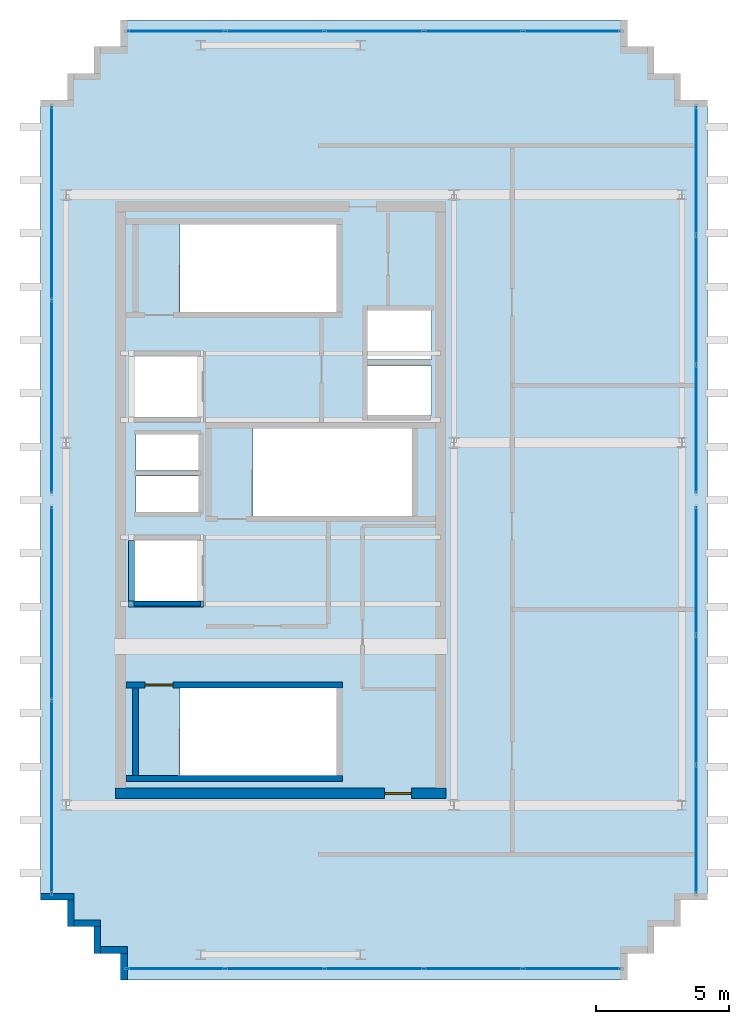
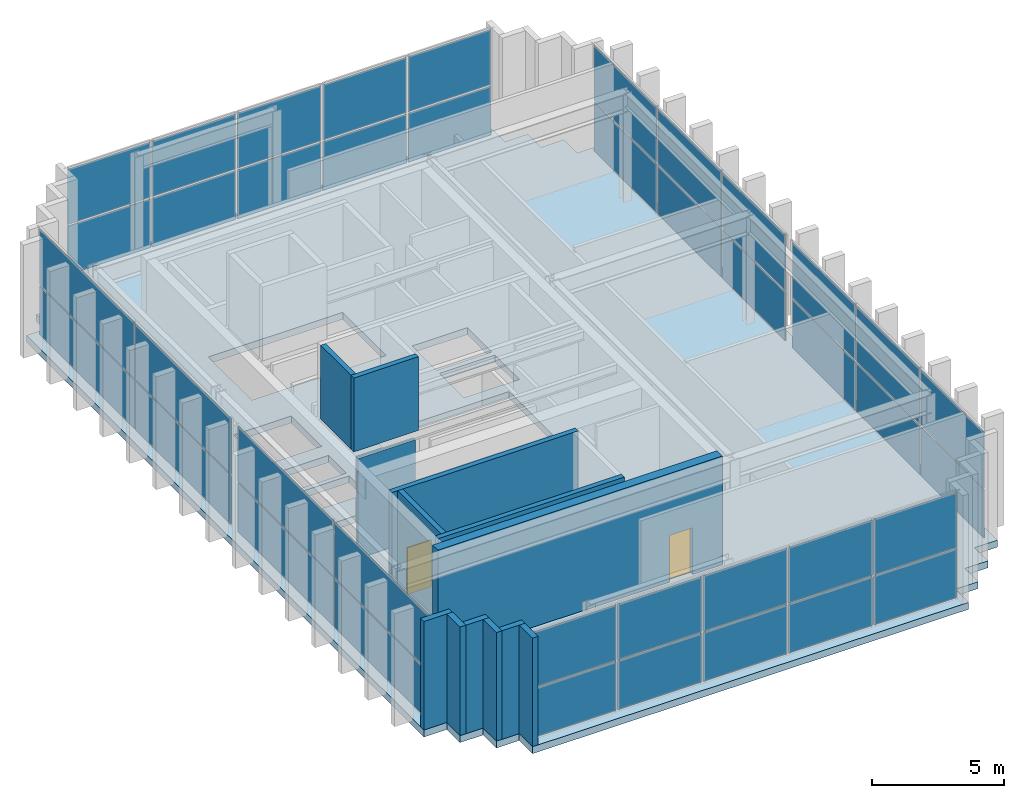
# One storey, part 11 of 14: 40 plates, 13 walls, 2 doors, 1 slab, 2 openings, 6 elements without a shape of their own.
"""IFC4 building model written with IfcOpenShell, lengths in metres."""

from ifc_helpers import new_model, si_unit, direction, frame, frame_2d, origin, origin_2d, place, context, subcontext, project, spatial, polyline, rectangle, outline, extrude, source, transform, mapped, material, layer, layer_set, type_object, element, fill, aggregate, save


model = new_model("IFC4")

# Units and contexts
model_context = context("Model", 3, precision=1e-05, world=origin(), true_north=direction((0.0, 1.0)))
body_context = subcontext(model_context, "Body", "Model", "MODEL_VIEW")
ifc_project = project(units=[si_unit("LENGTHUNIT", "METRE"), si_unit("AREAUNIT", "SQUARE_METRE"), si_unit("VOLUMEUNIT", "CUBIC_METRE"), si_unit("PLANEANGLEUNIT", "RADIAN"), si_unit("MASSUNIT", "GRAM", prefix="KILO")], contexts=[model_context])

# Site, building, storey
site_placement = place(None, origin())
site = spatial("IfcSite", under=ifc_project, at=site_placement, CompositionType="ELEMENT")
building_placement = place(site_placement, origin())
building = spatial("IfcBuilding", under=site, at=building_placement, Name="Ocotamira Hotel", CompositionType="ELEMENT")
storey_placement = place(building_placement, frame((0.0, 0.0, 309.60009765625)))
storey = spatial("IfcBuildingStorey", under=building, at=storey_placement, Name="L79", CompositionType="ELEMENT", Elevation=309.60009765625)

# Slab
ifc_material_1 = material(Name="Concrete C40/50", Category="concrete")
ifc_layer_1 = layer(ifc_material_1, 0.320068359375)
ifc_layer_set_1 = layer_set([ifc_layer_1], Name="Concrete C40/50")
slab_type = type_object("IfcSlabType", Name="SLB-HVY-320", PredefinedType="FLOOR", material=ifc_layer_set_1)
slab_placement = place(storey_placement, frame((0.0, 0.0, -0.320068359375)))
element("IfcSlab", 1, at=slab_placement, inside=storey, type_object=slab_type, Name="L79 Structural Floor Slab", PredefinedType="FLOOR", context=body_context, shape_type="SweptSolid", body=[
    extrude(outline(polyline([(11.0, 8.0), (30.0, 8.0), (30.0, 9.0), (31.0, 9.0), (31.0, 10.0), (32.0, 10.0), (32.0, 11.0), (33.0, 11.0), (33.0, 41.0), (32.0, 41.0), (32.0, 42.0), (31.0, 42.0), (31.0, 43.0), (30.0, 43.0), (30.0, 44.0), (11.0, 44.0), (11.0, 43.0), (10.0, 43.0), (10.0, 42.0), (9.0, 42.0), (9.0, 41.0), (8.0, 41.0), (8.0, 11.0), (9.0, 11.0), (9.0, 10.0), (10.0, 10.0), (10.0, 9.0), (11.0, 9.0), (11.0, 8.0)]), holes=[polyline([(13.22998046875, 15.669921875), (19.090087890625, 15.669921875), (19.090087890625, 18.949951171875), (13.22998046875, 18.949951171875), (13.22998046875, 15.669921875)]), polyline([(13.22998046875, 33.050048828125), (19.090087890625, 33.050048828125), (19.090087890625, 36.330078125), (13.22998046875, 36.330078125), (13.22998046875, 33.050048828125)]), polyline([(15.9599609375, 25.39990234375), (21.919921875, 25.39990234375), (21.919921875, 28.679931640625), (15.9599609375, 28.679931640625), (15.9599609375, 25.39990234375)]), polyline([(20.25, 29.179931640625), (22.659912109375, 29.179931640625), (22.659912109375, 31.030029296875), (20.25, 31.030029296875), (20.25, 29.179931640625)]), polyline([(20.25, 31.260009765625), (22.659912109375, 31.260009765625), (22.659912109375, 33.110107421875), (20.25, 33.110107421875), (20.25, 31.260009765625)]), polyline([(11.5, 22.199951171875), (14.0, 22.199951171875), (14.0, 24.5), (11.5, 24.5), (11.5, 22.199951171875)]), polyline([(11.5, 29.10009765625), (14.0, 29.10009765625), (14.0, 31.39990234375), (11.5, 31.39990234375), (11.5, 29.10009765625)]), polyline([(11.580078125, 25.550048828125), (13.919921875, 25.550048828125), (13.919921875, 26.89990234375), (11.580078125, 26.89990234375), (11.580078125, 25.550048828125)]), polyline([(11.580078125, 27.10009765625), (13.919921875, 27.10009765625), (13.919921875, 28.449951171875), (11.580078125, 28.449951171875), (11.580078125, 27.10009765625)])]), origin(), (0.0, 0.0, 1.0), 0.320068359375),
])

# Curtain wall, plates
ifc_material_2 = material(Name="Anodised pale-metal aluminium and solar glass", Category="aluminium")
ifc_layer_2 = layer(ifc_material_2, 0.2099609375)
ifc_layer_set_2 = layer_set([ifc_layer_2], Name="Anodised pale-metal aluminium and solar glass")
curtain_wall_type = type_object("IfcCurtainWallType", Name="CW-SYS7-PEAK", PredefinedType="NOTDEFINED", material=ifc_layer_set_2)
curtain_wall_1_placement = place(storey_placement, origin())
curtain_wall_1 = element("IfcCurtainWall", 2, at=curtain_wall_1_placement, inside=storey, type_object=curtain_wall_type, Name="L79 Curtain Wall CW-7 CW-L79-W1", PredefinedType="NOTDEFINED")
ifc_material_3 = material(Name="Double-silver low-E insulated solar glass", Category="glass")
ifc_layer_3 = layer(ifc_material_3, 0.031982421875)
ifc_layer_set_3 = layer_set([ifc_layer_3], Name="Double-silver low-E insulated solar glass")
plate_type = type_object("IfcPlateType", Name="CWP-VISION-32", PredefinedType="CURTAIN_PANEL", material=ifc_layer_set_3)
shared_shape_1 = source(origin(), body_context, "Body", "SweptSolid", [
    extrude(rectangle(XDim=7.179931640625, YDim=0.031982421875, at=origin_2d()), origin(), (0.0, 0.0, 1.0), 2.237548828125),
])
plate_1_placement = place(storey_placement, frame((8.419921875, 14.8701171875, 0.07470703125), z_axis=(0.0, 0.0, 1.0), x_axis=(0.0, 1.0, 0.0)))
plate_1 = element("IfcPlate", 3, at=plate_1_placement, type_object=plate_type, Name="CW-7 panel 1.1", PredefinedType="CURTAIN_PANEL", context=body_context, shape_type="MappedRepresentation", body=[
    mapped(shared_shape_1, transform((0.0, 0.0, 0.0), scale=1.0)),
])
plate_2_placement = place(storey_placement, frame((8.419921875, 22.1298828125, 0.07470703125), z_axis=(0.0, 0.0, 1.0), x_axis=(0.0, 1.0, 0.0)))
plate_2 = element("IfcPlate", 4, at=plate_2_placement, type_object=plate_type, Name="CW-7 panel 2.1", PredefinedType="CURTAIN_PANEL", context=body_context, shape_type="MappedRepresentation", body=[
    mapped(shared_shape_1, transform((0.0, 0.0, 0.0), scale=1.0)),
])

curtain_wall_2_placement = place(storey_placement, origin())
curtain_wall_2 = element("IfcCurtainWall", 5, at=curtain_wall_2_placement, inside=storey, type_object=curtain_wall_type, Name="L79 Curtain Wall CW-7 CW-L79-W2", PredefinedType="NOTDEFINED")
plate_3_placement = place(storey_placement, frame((8.419921875, 29.8701171875, 0.07470703125), z_axis=(0.0, 0.0, 1.0), x_axis=(0.0, 1.0, 0.0)))
plate_3 = element("IfcPlate", 6, at=plate_3_placement, type_object=plate_type, Name="CW-7 panel 1.1", PredefinedType="CURTAIN_PANEL", context=body_context, shape_type="MappedRepresentation", body=[
    mapped(shared_shape_1, transform((0.0, 0.0, 0.0), scale=1.0)),
])
plate_4_placement = place(storey_placement, frame((8.419921875, 37.1298828125, 0.07470703125), z_axis=(0.0, 0.0, 1.0), x_axis=(0.0, 1.0, 0.0)))
plate_4 = element("IfcPlate", 7, at=plate_4_placement, type_object=plate_type, Name="CW-7 panel 2.1", PredefinedType="CURTAIN_PANEL", context=body_context, shape_type="MappedRepresentation", body=[
    mapped(shared_shape_1, transform((0.0, 0.0, 0.0), scale=1.0)),
])

curtain_wall_3_placement = place(storey_placement, origin())
curtain_wall_3 = element("IfcCurtainWall", 8, at=curtain_wall_3_placement, inside=storey, type_object=curtain_wall_type, Name="L79 Curtain Wall CW-7 CW-L79-S1", PredefinedType="NOTDEFINED")
shared_shape_2 = source(origin(), body_context, "Body", "SweptSolid", [
    extrude(rectangle(XDim=3.60009765625, YDim=0.031982421875, at=origin_2d()), origin(), (0.0, 0.0, 1.0), 2.237548828125),
])
plate_5_placement = place(storey_placement, frame((13.080078125, 8.419921875, 0.07470703125), z_axis=(0.0, 0.0, 1.0), x_axis=(1.0, 0.0, 0.0)))
plate_5 = element("IfcPlate", 9, at=plate_5_placement, type_object=plate_type, Name="CW-7 panel 1.1", PredefinedType="CURTAIN_PANEL", context=body_context, shape_type="MappedRepresentation", body=[
    mapped(shared_shape_2, transform((0.0, 0.0, 0.0), scale=1.0)),
])
plate_6_placement = place(storey_placement, frame((27.919921875, 8.419921875, 0.07470703125), z_axis=(0.0, 0.0, 1.0), x_axis=(1.0, 0.0, 0.0)))
plate_6 = element("IfcPlate", 10, at=plate_6_placement, type_object=plate_type, Name="CW-7 panel 5.1", PredefinedType="CURTAIN_PANEL", context=body_context, shape_type="MappedRepresentation", body=[
    mapped(shared_shape_2, transform((0.0, 0.0, 0.0), scale=1.0)),
])

curtain_wall_4_placement = place(storey_placement, origin())
curtain_wall_4 = element("IfcCurtainWall", 11, at=curtain_wall_4_placement, inside=storey, type_object=curtain_wall_type, Name="L79 Curtain Wall CW-7 CW-L79-N", PredefinedType="NOTDEFINED")
plate_7_placement = place(storey_placement, frame((13.080078125, 43.580078125, 0.07470703125), z_axis=(0.0, 0.0, 1.0), x_axis=(1.0, 0.0, 0.0)))
plate_7 = element("IfcPlate", 12, at=plate_7_placement, type_object=plate_type, Name="CW-7 panel 1.1", PredefinedType="CURTAIN_PANEL", context=body_context, shape_type="MappedRepresentation", body=[
    mapped(shared_shape_2, transform((0.0, 0.0, 0.0), scale=1.0)),
])
plate_8_placement = place(storey_placement, frame((27.919921875, 43.580078125, 0.07470703125), z_axis=(0.0, 0.0, 1.0), x_axis=(1.0, 0.0, 0.0)))
plate_8 = element("IfcPlate", 13, at=plate_8_placement, type_object=plate_type, Name="CW-7 panel 5.1", PredefinedType="CURTAIN_PANEL", context=body_context, shape_type="MappedRepresentation", body=[
    mapped(shared_shape_2, transform((0.0, 0.0, 0.0), scale=1.0)),
])

# Plate
shared_shape_3 = source(origin(), body_context, "Body", "SweptSolid", [
    extrude(rectangle(XDim=3.639892578125, YDim=0.031982421875, at=origin_2d()), origin(), (0.0, 0.0, 1.0), 2.237548828125),
])
plate_9_placement = place(storey_placement, frame((16.780029296875, 8.419921875, 0.07470703125), z_axis=(0.0, 0.0, 1.0), x_axis=(1.0, 0.0, 0.0)))
plate_9 = element("IfcPlate", 14, at=plate_9_placement, type_object=plate_type, Name="CW-7 panel 2.1", PredefinedType="CURTAIN_PANEL", context=body_context, shape_type="MappedRepresentation", body=[
    mapped(shared_shape_3, transform((0.0, 0.0, 0.0), scale=1.0)),
])

plate_10_placement = place(storey_placement, frame((20.5, 8.419921875, 0.07470703125), z_axis=(0.0, 0.0, 1.0), x_axis=(1.0, 0.0, 0.0)))
plate_10 = element("IfcPlate", 15, at=plate_10_placement, type_object=plate_type, Name="CW-7 panel 3.1", PredefinedType="CURTAIN_PANEL", context=body_context, shape_type="MappedRepresentation", body=[
    mapped(shared_shape_3, transform((0.0, 0.0, 0.0), scale=1.0)),
])

plate_11_placement = place(storey_placement, frame((24.219970703125, 8.419921875, 0.07470703125), z_axis=(0.0, 0.0, 1.0), x_axis=(1.0, 0.0, 0.0)))
plate_11 = element("IfcPlate", 16, at=plate_11_placement, type_object=plate_type, Name="CW-7 panel 4.1", PredefinedType="CURTAIN_PANEL", context=body_context, shape_type="MappedRepresentation", body=[
    mapped(shared_shape_3, transform((0.0, 0.0, 0.0), scale=1.0)),
])

plate_12_placement = place(storey_placement, frame((16.780029296875, 43.580078125, 0.07470703125), z_axis=(0.0, 0.0, 1.0), x_axis=(1.0, 0.0, 0.0)))
plate_12 = element("IfcPlate", 17, at=plate_12_placement, type_object=plate_type, Name="CW-7 panel 2.1", PredefinedType="CURTAIN_PANEL", context=body_context, shape_type="MappedRepresentation", body=[
    mapped(shared_shape_3, transform((0.0, 0.0, 0.0), scale=1.0)),
])

plate_13_placement = place(storey_placement, frame((20.5, 43.580078125, 0.07470703125), z_axis=(0.0, 0.0, 1.0), x_axis=(1.0, 0.0, 0.0)))
plate_13 = element("IfcPlate", 18, at=plate_13_placement, type_object=plate_type, Name="CW-7 panel 3.1", PredefinedType="CURTAIN_PANEL", context=body_context, shape_type="MappedRepresentation", body=[
    mapped(shared_shape_3, transform((0.0, 0.0, 0.0), scale=1.0)),
])

plate_14_placement = place(storey_placement, frame((24.219970703125, 43.580078125, 0.07470703125), z_axis=(0.0, 0.0, 1.0), x_axis=(1.0, 0.0, 0.0)))
plate_14 = element("IfcPlate", 19, at=plate_14_placement, type_object=plate_type, Name="CW-7 panel 4.1", PredefinedType="CURTAIN_PANEL", context=body_context, shape_type="MappedRepresentation", body=[
    mapped(shared_shape_3, transform((0.0, 0.0, 0.0), scale=1.0)),
])

# Curtain wall, plates
curtain_wall_5_placement = place(storey_placement, origin())
curtain_wall_5 = element("IfcCurtainWall", 20, at=curtain_wall_5_placement, inside=storey, type_object=curtain_wall_type, Name="L79 Curtain Wall CW-7 CW-L79-E1", PredefinedType="NOTDEFINED")
shared_shape_4 = source(origin(), body_context, "Body", "SweptSolid", [
    extrude(rectangle(XDim=4.74658203125, YDim=0.031982421875, at=origin_2d()), origin(), (0.0, 0.0, 1.0), 2.237548828125),
])
plate_15_placement = place(storey_placement, frame((32.580078125, 13.6533203125, 0.07470703125), z_axis=(0.0, 0.0, 1.0), x_axis=(0.0, 1.0, 0.0)))
plate_15 = element("IfcPlate", 21, at=plate_15_placement, type_object=plate_type, Name="CW-7 panel 1.1", PredefinedType="CURTAIN_PANEL", context=body_context, shape_type="MappedRepresentation", body=[
    mapped(shared_shape_4, transform((0.0, 0.0, 0.0), scale=1.0)),
])
plate_16_placement = place(storey_placement, frame((32.580078125, 23.3466796875, 0.07470703125), z_axis=(0.0, 0.0, 1.0), x_axis=(0.0, 1.0, 0.0)))
plate_16 = element("IfcPlate", 22, at=plate_16_placement, type_object=plate_type, Name="CW-7 panel 3.1", PredefinedType="CURTAIN_PANEL", context=body_context, shape_type="MappedRepresentation", body=[
    mapped(shared_shape_4, transform((0.0, 0.0, 0.0), scale=1.0)),
])

curtain_wall_6_placement = place(storey_placement, origin())
curtain_wall_6 = element("IfcCurtainWall", 23, at=curtain_wall_6_placement, inside=storey, type_object=curtain_wall_type, Name="L79 Curtain Wall CW-7 CW-L79-E2", PredefinedType="NOTDEFINED")
plate_17_placement = place(storey_placement, frame((32.580078125, 28.6533203125, 0.07470703125), z_axis=(0.0, 0.0, 1.0), x_axis=(0.0, 1.0, 0.0)))
plate_17 = element("IfcPlate", 24, at=plate_17_placement, type_object=plate_type, Name="CW-7 panel 1.1", PredefinedType="CURTAIN_PANEL", context=body_context, shape_type="MappedRepresentation", body=[
    mapped(shared_shape_4, transform((0.0, 0.0, 0.0), scale=1.0)),
])
plate_18_placement = place(storey_placement, frame((32.580078125, 38.3466796875, 0.07470703125), z_axis=(0.0, 0.0, 1.0), x_axis=(0.0, 1.0, 0.0)))
plate_18 = element("IfcPlate", 25, at=plate_18_placement, type_object=plate_type, Name="CW-7 panel 3.1", PredefinedType="CURTAIN_PANEL", context=body_context, shape_type="MappedRepresentation", body=[
    mapped(shared_shape_4, transform((0.0, 0.0, 0.0), scale=1.0)),
])

# Plate
shared_shape_5 = source(origin(), body_context, "Body", "SweptSolid", [
    extrude(rectangle(XDim=4.78662109375, YDim=0.031982421875, at=origin_2d()), origin(), (0.0, 0.0, 1.0), 2.237548828125),
])
plate_19_placement = place(storey_placement, frame((32.580078125, 18.5, 0.07470703125), z_axis=(0.0, 0.0, 1.0), x_axis=(0.0, 1.0, 0.0)))
plate_19 = element("IfcPlate", 26, at=plate_19_placement, type_object=plate_type, Name="CW-7 panel 2.1", PredefinedType="CURTAIN_PANEL", context=body_context, shape_type="MappedRepresentation", body=[
    mapped(shared_shape_5, transform((0.0, 0.0, 0.0), scale=1.0)),
])

plate_20_placement = place(storey_placement, frame((32.580078125, 33.5, 0.07470703125), z_axis=(0.0, 0.0, 1.0), x_axis=(0.0, 1.0, 0.0)))
plate_20 = element("IfcPlate", 27, at=plate_20_placement, type_object=plate_type, Name="CW-7 panel 2.1", PredefinedType="CURTAIN_PANEL", context=body_context, shape_type="MappedRepresentation", body=[
    mapped(shared_shape_5, transform((0.0, 0.0, 0.0), scale=1.0)),
])

shared_shape_6 = source(origin(), body_context, "Body", "SweptSolid", [
    extrude(rectangle(XDim=3.60009765625, YDim=0.031982421875, at=origin_2d()), origin(), (0.0, 0.0, 1.0), 2.53759765625),
])
plate_21_placement = place(storey_placement, frame((13.080078125, 8.419921875, 2.387451171875), z_axis=(0.0, 0.0, 1.0), x_axis=(1.0, 0.0, 0.0)))
plate_21 = element("IfcPlate", 28, at=plate_21_placement, type_object=plate_type, Name="CW-7 panel 1.2", PredefinedType="CURTAIN_PANEL", context=body_context, shape_type="MappedRepresentation", body=[
    mapped(shared_shape_6, transform((0.0, 0.0, 0.0), scale=1.0)),
])

plate_22_placement = place(storey_placement, frame((27.919921875, 8.419921875, 2.387451171875), z_axis=(0.0, 0.0, 1.0), x_axis=(1.0, 0.0, 0.0)))
plate_22 = element("IfcPlate", 29, at=plate_22_placement, type_object=plate_type, Name="CW-7 panel 5.2", PredefinedType="CURTAIN_PANEL", context=body_context, shape_type="MappedRepresentation", body=[
    mapped(shared_shape_6, transform((0.0, 0.0, 0.0), scale=1.0)),
])

plate_23_placement = place(storey_placement, frame((13.080078125, 43.580078125, 2.387451171875), z_axis=(0.0, 0.0, 1.0), x_axis=(1.0, 0.0, 0.0)))
plate_23 = element("IfcPlate", 30, at=plate_23_placement, type_object=plate_type, Name="CW-7 panel 1.2", PredefinedType="CURTAIN_PANEL", context=body_context, shape_type="MappedRepresentation", body=[
    mapped(shared_shape_6, transform((0.0, 0.0, 0.0), scale=1.0)),
])

plate_24_placement = place(storey_placement, frame((27.919921875, 43.580078125, 2.387451171875), z_axis=(0.0, 0.0, 1.0), x_axis=(1.0, 0.0, 0.0)))
plate_24 = element("IfcPlate", 31, at=plate_24_placement, type_object=plate_type, Name="CW-7 panel 5.2", PredefinedType="CURTAIN_PANEL", context=body_context, shape_type="MappedRepresentation", body=[
    mapped(shared_shape_6, transform((0.0, 0.0, 0.0), scale=1.0)),
])

shared_shape_7 = source(origin(), body_context, "Body", "SweptSolid", [
    extrude(rectangle(XDim=3.639892578125, YDim=0.031982421875, at=origin_2d()), origin(), (0.0, 0.0, 1.0), 2.53759765625),
])
plate_25_placement = place(storey_placement, frame((16.780029296875, 8.419921875, 2.387451171875), z_axis=(0.0, 0.0, 1.0), x_axis=(1.0, 0.0, 0.0)))
plate_25 = element("IfcPlate", 32, at=plate_25_placement, type_object=plate_type, Name="CW-7 panel 2.2", PredefinedType="CURTAIN_PANEL", context=body_context, shape_type="MappedRepresentation", body=[
    mapped(shared_shape_7, transform((0.0, 0.0, 0.0), scale=1.0)),
])

plate_26_placement = place(storey_placement, frame((20.5, 8.419921875, 2.387451171875), z_axis=(0.0, 0.0, 1.0), x_axis=(1.0, 0.0, 0.0)))
plate_26 = element("IfcPlate", 33, at=plate_26_placement, type_object=plate_type, Name="CW-7 panel 3.2", PredefinedType="CURTAIN_PANEL", context=body_context, shape_type="MappedRepresentation", body=[
    mapped(shared_shape_7, transform((0.0, 0.0, 0.0), scale=1.0)),
])

plate_27_placement = place(storey_placement, frame((24.219970703125, 8.419921875, 2.387451171875), z_axis=(0.0, 0.0, 1.0), x_axis=(1.0, 0.0, 0.0)))
plate_27 = element("IfcPlate", 34, at=plate_27_placement, type_object=plate_type, Name="CW-7 panel 4.2", PredefinedType="CURTAIN_PANEL", context=body_context, shape_type="MappedRepresentation", body=[
    mapped(shared_shape_7, transform((0.0, 0.0, 0.0), scale=1.0)),
])

aggregate(curtain_wall_3, [plate_5, plate_21, plate_9, plate_25, plate_10, plate_26, plate_11, plate_27, plate_6, plate_22])

plate_28_placement = place(storey_placement, frame((16.780029296875, 43.580078125, 2.387451171875), z_axis=(0.0, 0.0, 1.0), x_axis=(1.0, 0.0, 0.0)))
plate_28 = element("IfcPlate", 35, at=plate_28_placement, type_object=plate_type, Name="CW-7 panel 2.2", PredefinedType="CURTAIN_PANEL", context=body_context, shape_type="MappedRepresentation", body=[
    mapped(shared_shape_7, transform((0.0, 0.0, 0.0), scale=1.0)),
])

plate_29_placement = place(storey_placement, frame((20.5, 43.580078125, 2.387451171875), z_axis=(0.0, 0.0, 1.0), x_axis=(1.0, 0.0, 0.0)))
plate_29 = element("IfcPlate", 36, at=plate_29_placement, type_object=plate_type, Name="CW-7 panel 3.2", PredefinedType="CURTAIN_PANEL", context=body_context, shape_type="MappedRepresentation", body=[
    mapped(shared_shape_7, transform((0.0, 0.0, 0.0), scale=1.0)),
])

plate_30_placement = place(storey_placement, frame((24.219970703125, 43.580078125, 2.387451171875), z_axis=(0.0, 0.0, 1.0), x_axis=(1.0, 0.0, 0.0)))
plate_30 = element("IfcPlate", 37, at=plate_30_placement, type_object=plate_type, Name="CW-7 panel 4.2", PredefinedType="CURTAIN_PANEL", context=body_context, shape_type="MappedRepresentation", body=[
    mapped(shared_shape_7, transform((0.0, 0.0, 0.0), scale=1.0)),
])

aggregate(curtain_wall_4, [plate_7, plate_23, plate_12, plate_28, plate_13, plate_29, plate_14, plate_30, plate_8, plate_24])

shared_shape_8 = source(origin(), body_context, "Body", "SweptSolid", [
    extrude(rectangle(XDim=7.179931640625, YDim=0.031982421875, at=origin_2d()), origin(), (0.0, 0.0, 1.0), 2.53759765625),
])
plate_31_placement = place(storey_placement, frame((8.419921875, 14.8701171875, 2.387451171875), z_axis=(0.0, 0.0, 1.0), x_axis=(0.0, 1.0, 0.0)))
plate_31 = element("IfcPlate", 38, at=plate_31_placement, type_object=plate_type, Name="CW-7 panel 1.2", PredefinedType="CURTAIN_PANEL", context=body_context, shape_type="MappedRepresentation", body=[
    mapped(shared_shape_8, transform((0.0, 0.0, 0.0), scale=1.0)),
])

plate_32_placement = place(storey_placement, frame((8.419921875, 22.1298828125, 2.387451171875), z_axis=(0.0, 0.0, 1.0), x_axis=(0.0, 1.0, 0.0)))
plate_32 = element("IfcPlate", 39, at=plate_32_placement, type_object=plate_type, Name="CW-7 panel 2.2", PredefinedType="CURTAIN_PANEL", context=body_context, shape_type="MappedRepresentation", body=[
    mapped(shared_shape_8, transform((0.0, 0.0, 0.0), scale=1.0)),
])

aggregate(curtain_wall_1, [plate_1, plate_31, plate_2, plate_32])

plate_33_placement = place(storey_placement, frame((8.419921875, 29.8701171875, 2.387451171875), z_axis=(0.0, 0.0, 1.0), x_axis=(0.0, 1.0, 0.0)))
plate_33 = element("IfcPlate", 40, at=plate_33_placement, type_object=plate_type, Name="CW-7 panel 1.2", PredefinedType="CURTAIN_PANEL", context=body_context, shape_type="MappedRepresentation", body=[
    mapped(shared_shape_8, transform((0.0, 0.0, 0.0), scale=1.0)),
])

plate_34_placement = place(storey_placement, frame((8.419921875, 37.1298828125, 2.387451171875), z_axis=(0.0, 0.0, 1.0), x_axis=(0.0, 1.0, 0.0)))
plate_34 = element("IfcPlate", 41, at=plate_34_placement, type_object=plate_type, Name="CW-7 panel 2.2", PredefinedType="CURTAIN_PANEL", context=body_context, shape_type="MappedRepresentation", body=[
    mapped(shared_shape_8, transform((0.0, 0.0, 0.0), scale=1.0)),
])

aggregate(curtain_wall_2, [plate_3, plate_33, plate_4, plate_34])

shared_shape_9 = source(origin(), body_context, "Body", "SweptSolid", [
    extrude(rectangle(XDim=4.74658203125, YDim=0.031982421875, at=origin_2d()), origin(), (0.0, 0.0, 1.0), 2.53759765625),
])
plate_35_placement = place(storey_placement, frame((32.580078125, 13.6533203125, 2.387451171875), z_axis=(0.0, 0.0, 1.0), x_axis=(0.0, 1.0, 0.0)))
plate_35 = element("IfcPlate", 42, at=plate_35_placement, type_object=plate_type, Name="CW-7 panel 1.2", PredefinedType="CURTAIN_PANEL", context=body_context, shape_type="MappedRepresentation", body=[
    mapped(shared_shape_9, transform((0.0, 0.0, 0.0), scale=1.0)),
])

plate_36_placement = place(storey_placement, frame((32.580078125, 23.3466796875, 2.387451171875), z_axis=(0.0, 0.0, 1.0), x_axis=(0.0, 1.0, 0.0)))
plate_36 = element("IfcPlate", 43, at=plate_36_placement, type_object=plate_type, Name="CW-7 panel 3.2", PredefinedType="CURTAIN_PANEL", context=body_context, shape_type="MappedRepresentation", body=[
    mapped(shared_shape_9, transform((0.0, 0.0, 0.0), scale=1.0)),
])

plate_37_placement = place(storey_placement, frame((32.580078125, 28.6533203125, 2.387451171875), z_axis=(0.0, 0.0, 1.0), x_axis=(0.0, 1.0, 0.0)))
plate_37 = element("IfcPlate", 44, at=plate_37_placement, type_object=plate_type, Name="CW-7 panel 1.2", PredefinedType="CURTAIN_PANEL", context=body_context, shape_type="MappedRepresentation", body=[
    mapped(shared_shape_9, transform((0.0, 0.0, 0.0), scale=1.0)),
])

plate_38_placement = place(storey_placement, frame((32.580078125, 38.3466796875, 2.387451171875), z_axis=(0.0, 0.0, 1.0), x_axis=(0.0, 1.0, 0.0)))
plate_38 = element("IfcPlate", 45, at=plate_38_placement, type_object=plate_type, Name="CW-7 panel 3.2", PredefinedType="CURTAIN_PANEL", context=body_context, shape_type="MappedRepresentation", body=[
    mapped(shared_shape_9, transform((0.0, 0.0, 0.0), scale=1.0)),
])

shared_shape_10 = source(origin(), body_context, "Body", "SweptSolid", [
    extrude(rectangle(XDim=4.78662109375, YDim=0.031982421875, at=origin_2d()), origin(), (0.0, 0.0, 1.0), 2.53759765625),
])
plate_39_placement = place(storey_placement, frame((32.580078125, 18.5, 2.387451171875), z_axis=(0.0, 0.0, 1.0), x_axis=(0.0, 1.0, 0.0)))
plate_39 = element("IfcPlate", 46, at=plate_39_placement, type_object=plate_type, Name="CW-7 panel 2.2", PredefinedType="CURTAIN_PANEL", context=body_context, shape_type="MappedRepresentation", body=[
    mapped(shared_shape_10, transform((0.0, 0.0, 0.0), scale=1.0)),
])

aggregate(curtain_wall_5, [plate_15, plate_35, plate_19, plate_39, plate_16, plate_36])

plate_40_placement = place(storey_placement, frame((32.580078125, 33.5, 2.387451171875), z_axis=(0.0, 0.0, 1.0), x_axis=(0.0, 1.0, 0.0)))
plate_40 = element("IfcPlate", 47, at=plate_40_placement, type_object=plate_type, Name="CW-7 panel 2.2", PredefinedType="CURTAIN_PANEL", context=body_context, shape_type="MappedRepresentation", body=[
    mapped(shared_shape_10, transform((0.0, 0.0, 0.0), scale=1.0)),
])

aggregate(curtain_wall_6, [plate_17, plate_37, plate_20, plate_40, plate_18, plate_38])

# Wall, opening, door
ifc_material_4 = material(Name="Concrete C50/60", Category="concrete")
ifc_layer_4 = layer(ifc_material_4, 0.39990234375)
ifc_layer_set_4 = layer_set([ifc_layer_4], Name="Concrete C50/60")
wall_type_1 = type_object("IfcWallType", Name="WL-CORE-400", PredefinedType="SHEAR", material=ifc_layer_set_4)
wall_1_placement = place(storey_placement, frame((10.800048828125, 15.0, 0.0), z_axis=(0.0, 0.0, 1.0), x_axis=(1.0, 0.0, 0.0)))
wall_1 = element("IfcWall", 48, at=wall_1_placement, inside=storey, type_object=wall_type_1, Name="L79 Shear Core Wall WCORE-S", PredefinedType="SHEAR", context=body_context, shape_type="SweptSolid", body=[
    extrude(rectangle(XDim=12.39990234375, YDim=0.39990234375, at=frame_2d((6.199951171875, 0.0))), origin(), (0.0, 0.0, 1.0), 5.0),
])
opening_1_placement = place(wall_1_placement, frame((10.10009765625, 0.0, 0.0)))
opening_1 = element("IfcOpeningElement", 49, at=opening_1_placement, cuts=wall_1, Name="Opening D-FR2", PredefinedType="OPENING", context=body_context, shape_type="SweptSolid", body=[
    extrude(rectangle(XDim=1.0, YDim=2.14990234375, at=frame_2d((0.5, 1.074951171875))), frame((0.0, 0.2099609375, 0.0), z_axis=(0.0, -1.0, 0.0), x_axis=(1.0, 0.0, 0.0)), (0.0, 0.0, 1.0), 0.419921875),
])
ifc_material_5 = material(Name="Fire-rated acoustic timber-veneer door", Category="wood")
door_type_1 = type_object("IfcDoorType", Name="DR-FIRE-1000", OperationType="NOTDEFINED", PredefinedType="DOOR", material=ifc_material_5)
shared_shape_11 = source(origin(), body_context, "Body", "SweptSolid", [
    extrude(rectangle(XDim=1.0, YDim=2.14990234375, at=frame_2d((0.5, 1.074951171875))), frame((0.0, 0.02490234375, 0.0), z_axis=(0.0, -1.0, 0.0), x_axis=(1.0, 0.0, 0.0)), (0.0, 0.0, 1.0), 0.050048828125),
])
door_1_placement = place(opening_1_placement, origin())
door_1 = element("IfcDoor", 50, at=door_1_placement, inside=storey, type_object=door_type_1, Name="L79 Door ID-L79-WLOB-S-D [ID-L79-WLOB-S-D]", OperationType="SINGLE_SWING_LEFT", OverallHeight=2.14990234375, OverallWidth=1.0, PredefinedType="DOOR", context=body_context, shape_type="MappedRepresentation", body=[
    mapped(shared_shape_11, transform((0.0, 0.0, 0.0), scale=1.0)),
])
fill(opening_1, door_1)

# Walls
ifc_material_6 = material(Name="Precast concrete C45/55", Category="concrete")
ifc_layer_5 = layer(ifc_material_6, 0.25)
ifc_layer_set_5 = layer_set([ifc_layer_5], Name="Precast concrete C45/55")
wall_type_2 = type_object("IfcWallType", Name="WL-EXT-SER-250", PredefinedType="SOLIDWALL", material=ifc_layer_set_5)
wall_2_placement = place(storey_placement, frame((8.0, 11.125, 0.0), z_axis=(0.0, 0.0, 1.0), x_axis=(1.0, 0.0, 0.0)))
element("IfcWall", 51, at=wall_2_placement, inside=storey, type_object=wall_type_2, Name="L79 Serrated Corner Wall 19", PredefinedType="SOLIDWALL", context=body_context, shape_type="SweptSolid", body=[
    extrude(rectangle(XDim=1.25, YDim=0.25, at=frame_2d((0.625, 0.0))), origin(), (0.0, 0.0, 1.0), 5.0),
])
for number, where, z_axis, x_axis, name in (
    (52, (9.125, 11.0, 0.0), (0.0, 0.0, 1.0), (0.0, -1.0, 0.0), "L79 Serrated Corner Wall 20"),
    (53, (9.25, 10.125, 0.0), (0.0, 0.0, 1.0), (1.0, 0.0, 0.0), "L79 Serrated Corner Wall 21"),
    (54, (10.125, 10.0, 0.0), (0.0, 0.0, 1.0), (0.0, -1.0, 0.0), "L79 Serrated Corner Wall 22"),
    (55, (10.25, 9.125, 0.0), (0.0, 0.0, 1.0), (1.0, 0.0, 0.0), "L79 Serrated Corner Wall 23"),
    (56, (11.125, 9.0, 0.0), (0.0, 0.0, 1.0), (0.0, -1.0, 0.0), "L79 Serrated Corner Wall 24"),
):
    element("IfcWall", number, at=place(storey_placement, frame(where, z_axis=z_axis, x_axis=x_axis)), inside=storey, type_object=wall_type_2, Name=name, PredefinedType="SOLIDWALL", context=body_context, shape_type="SweptSolid", body=[
        extrude(rectangle(XDim=1.0, YDim=0.25, at=frame_2d((0.5, 0.0))), origin(), (0.0, 0.0, 1.0), 5.0),
    ])
ifc_material_7 = material(Name="Fire-rated gypsum shaftliner board assembly", Category="gypsum")
ifc_layer_6 = layer(ifc_material_7, 0.179931640625)
ifc_layer_set_6 = layer_set([ifc_layer_6], Name="Fire-rated gypsum shaftliner board assembly")
wall_type_3 = type_object("IfcWallType", Name="WL-SHAFT-180", PredefinedType="SOLIDWALL", material=ifc_layer_set_6)
wall_3_placement = place(storey_placement, frame((11.5, 22.110107421875, 0.0), z_axis=(0.0, 0.0, 1.0), x_axis=(1.0, 0.0, 0.0)))
element("IfcWall", 57, at=wall_3_placement, inside=storey, type_object=wall_type_3, Name="L79 Interior Wall PW-L79-LFW-LF-FSAE1-S", PredefinedType="SOLIDWALL", context=body_context, shape_type="SweptSolid", body=[
    extrude(rectangle(XDim=2.5, YDim=0.179931640625, at=frame_2d((1.25, 0.0))), origin(), (0.0, 0.0, 1.0), 4.5908203125),
])
ifc_layer_7 = layer(ifc_material_4, 0.219970703125)
ifc_layer_set_7 = layer_set([ifc_layer_7], Name="Concrete C50/60")
wall_type_4 = type_object("IfcWallType", Name="WL-STAIR-220", PredefinedType="SHEAR", material=ifc_layer_set_7)
wall_4_placement = place(storey_placement, frame((11.199951171875, 15.56005859375, 0.0), z_axis=(0.0, 0.0, 1.0), x_axis=(1.0, 0.0, 0.0)))
element("IfcWall", 58, at=wall_4_placement, inside=storey, type_object=wall_type_4, Name="L79 Stair Shaft Structural Wall ST-1-S", PredefinedType="SHEAR", context=body_context, shape_type="SweptSolid", body=[
    extrude(rectangle(XDim=8.110107421875, YDim=0.219970703125, at=frame_2d((4.05517578125, 0.0))), origin(), (0.0, 0.0, 1.0), 5.0),
])

# Wall, opening, door
wall_5_placement = place(storey_placement, frame((11.199951171875, 19.06005859375, 0.0), z_axis=(0.0, 0.0, 1.0), x_axis=(1.0, 0.0, 0.0)))
wall_5 = element("IfcWall", 59, at=wall_5_placement, inside=storey, type_object=wall_type_4, Name="L79 Stair Shaft Structural Wall ST-1-N", PredefinedType="SHEAR", context=body_context, shape_type="SweptSolid", body=[
    extrude(rectangle(XDim=8.110107421875, YDim=0.219970703125, at=frame_2d((4.05517578125, 0.0))), origin(), (0.0, 0.0, 1.0), 5.0),
])
opening_2_placement = place(wall_5_placement, frame((0.719970703125, 0.0, 0.0)))
opening_2 = element("IfcOpeningElement", 60, at=opening_2_placement, cuts=wall_5, Name="Opening D-ST2", PredefinedType="OPENING", context=body_context, shape_type="SweptSolid", body=[
    extrude(rectangle(XDim=1.050048828125, YDim=2.14990234375, at=frame_2d((0.52490234375, 1.074951171875))), frame((0.0, 0.1201171875, 0.0), z_axis=(0.0, -1.0, 0.0), x_axis=(1.0, 0.0, 0.0)), (0.0, 0.0, 1.0), 0.239990234375),
])
ifc_material_8 = material(Name="Insulated painted hollow-metal fire exit door", Category="steel")
door_type_2 = type_object("IfcDoorType", Name="DR-STAIR-1050", OperationType="NOTDEFINED", PredefinedType="DOOR", material=ifc_material_8)
shared_shape_12 = source(origin(), body_context, "Body", "SweptSolid", [
    extrude(rectangle(XDim=1.050048828125, YDim=2.14990234375, at=frame_2d((0.52490234375, 1.074951171875))), frame((0.0, 0.02490234375, 0.0), z_axis=(0.0, -1.0, 0.0), x_axis=(1.0, 0.0, 0.0)), (0.0, 0.0, 1.0), 0.050048828125),
])
door_2_placement = place(opening_2_placement, origin())
door_2 = element("IfcDoor", 61, at=door_2_placement, inside=storey, type_object=door_type_2, Name="L79 Door ID-L79-STD-ST-1 [ID-L79-STD-ST-1]", OperationType="SINGLE_SWING_RIGHT", OverallHeight=2.14990234375, OverallWidth=1.050048828125, PredefinedType="DOOR", context=body_context, shape_type="MappedRepresentation", body=[
    mapped(shared_shape_12, transform((0.0, 0.0, 0.0), scale=1.0)),
])
fill(opening_2, door_2)

# Walls
wall_6_placement = place(storey_placement, frame((11.56005859375, 15.669921875, 0.0), z_axis=(0.0, 0.0, 1.0), x_axis=(0.0, 1.0, 0.0)))
element("IfcWall", 62, at=wall_6_placement, inside=storey, type_object=wall_type_4, Name="L79 Stair Shaft Structural Wall ST-1-W", PredefinedType="SHEAR", context=body_context, shape_type="SweptSolid", body=[
    extrude(rectangle(XDim=3.280029296875, YDim=0.219970703125, at=frame_2d((1.64013671875, 0.0))), origin(), (0.0, 0.0, 1.0), 5.0),
])
wall_7_placement = place(storey_placement, frame((11.2900390625, 22.10009765625, 5.0), z_axis=(0.0, 0.0, 1.0), x_axis=(1.0, 0.0, 0.0)))
element("IfcWall", 63, at=wall_7_placement, inside=storey, type_object=wall_type_4, Name="FSAE 1 Overrun Enclosure Wall S", PredefinedType="SHEAR", context=body_context, shape_type="SweptSolid", body=[
    extrude(rectangle(XDim=2.820068359375, YDim=0.219970703125, at=frame_2d((1.41015625, 0.0))), origin(), (0.0, 0.0, 1.0), 3.39990234375),
])
wall_8_placement = place(storey_placement, frame((11.39990234375, 22.2099609375, 5.0), z_axis=(0.0, 0.0, 1.0), x_axis=(0.0, 1.0, 0.0)))
element("IfcWall", 64, at=wall_8_placement, inside=storey, type_object=wall_type_4, Name="FSAE 1 Overrun Enclosure Wall W", PredefinedType="SHEAR", context=body_context, shape_type="SweptSolid", body=[
    extrude(rectangle(XDim=2.280029296875, YDim=0.219970703125, at=frame_2d((1.14013671875, 0.0))), origin(), (0.0, 0.0, 1.0), 3.39990234375),
])

save(model, "model.ifc")
